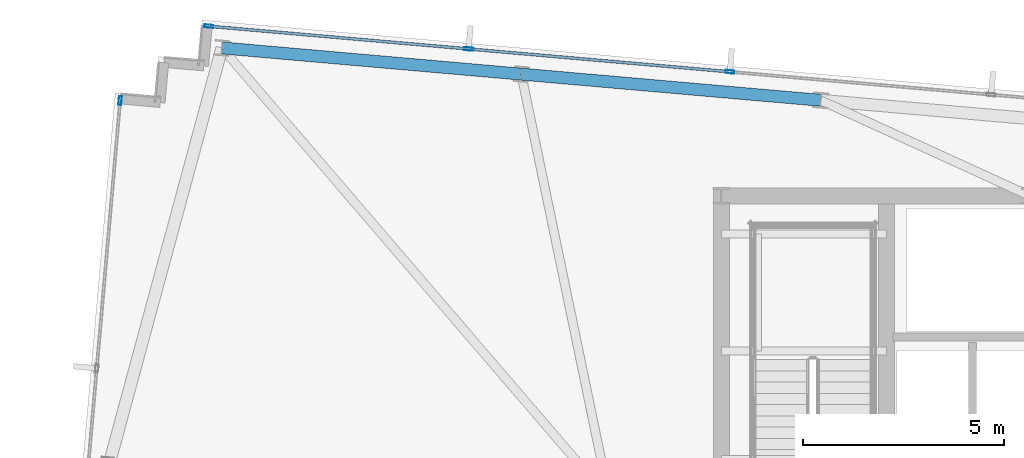
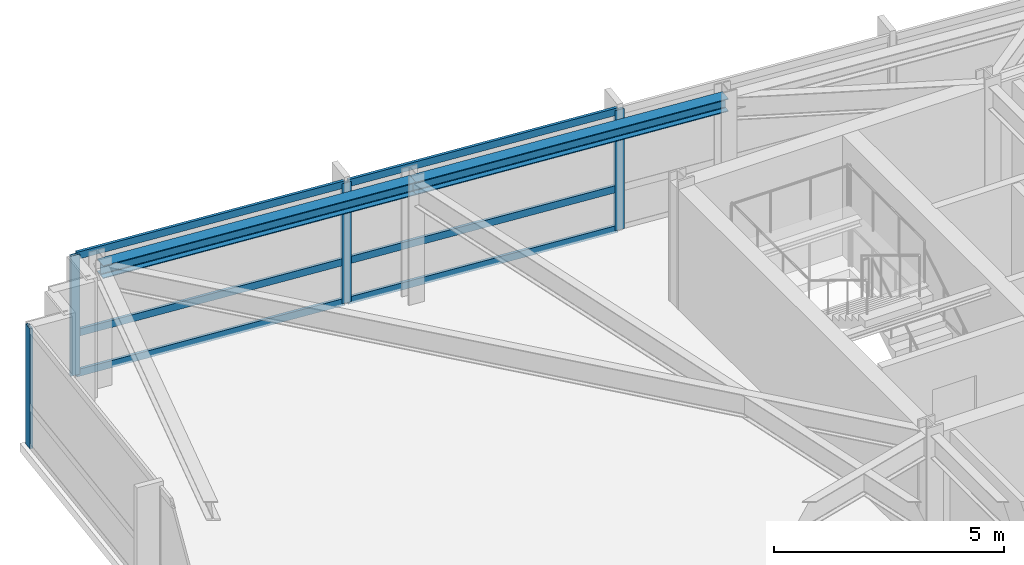
# One storey, part 15 of 24: 10 members, 2 beams, 2 elements without a shape of their own.
"""IFC4 building model written with IfcOpenShell, lengths in metres."""

from ifc_helpers import new_model, si_unit, direction, frame, origin, origin_2d, place, context, subcontext, project, spatial, hollow_rectangle, i_section, extrude, material, material_profile, profile_set, type_object, element, aggregate, save


model = new_model("IFC4")

# Units and contexts
model_context = context("Model", 3, precision=1e-05, world=origin(), true_north=direction((0.0, 1.0)))
body_context = subcontext(model_context, "Body", "Model", "MODEL_VIEW")
ifc_project = project(units=[si_unit("LENGTHUNIT", "METRE"), si_unit("AREAUNIT", "SQUARE_METRE"), si_unit("VOLUMEUNIT", "CUBIC_METRE"), si_unit("PLANEANGLEUNIT", "RADIAN"), si_unit("MASSUNIT", "GRAM", prefix="KILO")], contexts=[model_context])

# Site, building, storey
site_placement = place(None, origin())
site = spatial("IfcSite", under=ifc_project, at=site_placement, CompositionType="ELEMENT")
building_placement = place(site_placement, origin())
building = spatial("IfcBuilding", under=site, at=building_placement, Name="Yelkora Congress Tower", CompositionType="ELEMENT")
storey_placement = place(building_placement, frame((0.0, 0.0, 296.5)))
storey = spatial("IfcBuildingStorey", under=building, at=storey_placement, Name="L83", CompositionType="ELEMENT", Elevation=296.5)

# Beams
ifc_material_1 = material(Name="Steel S355J2", Category="steel")
ifc_material_profile_1 = material_profile(ifc_material_1, i_section(OverallWidth=0.300048828125, OverallDepth=0.340087890625, WebThickness=0.011962890625, FlangeThickness=0.021484375, FilletRadius=0.027099609375, at=origin_2d()), Name="HEB 340")
ifc_profile_set_1 = profile_set([ifc_material_profile_1], Name="Steel S355J2")
beam_type = type_object("IfcBeamType", Name="BM-SPAN-HEB340", PredefinedType="SPANDREL", material=ifc_profile_set_1)
beam_1_placement = place(storey_placement, frame((25.513916015625, 48.57958984375, 3.010009765625), z_axis=(-0.996196266663, 0.087137812034, 0.0), x_axis=(-0.087137812034, -0.996196266663, 0.0)))
element("IfcBeam", 1, at=beam_1_placement, inside=storey, type_object=beam_type, Name="L83 Perimeter Beam 11", PredefinedType="SPANDREL", context=body_context, shape_type="SweptSolid", body=[
    extrude(i_section(OverallWidth=0.300048828125, OverallDepth=0.340087890625, WebThickness=0.011962890625, FlangeThickness=0.021484375, FilletRadius=0.027099609375, at=origin_2d()), origin(), (0.0, 0.0, 1.0), 7.483642578125),
])
beam_2_placement = place(storey_placement, frame((18.058837890625, 49.231689453125, 3.010009765625), z_axis=(-0.996193186297, 0.08717302092, 0.0), x_axis=(-0.08717302092, -0.996193186297, 0.0)))
element("IfcBeam", 2, at=beam_2_placement, inside=storey, type_object=beam_type, Name="L83 Perimeter Beam 12", PredefinedType="SPANDREL", context=body_context, shape_type="SweptSolid", body=[
    extrude(i_section(OverallWidth=0.300048828125, OverallDepth=0.340087890625, WebThickness=0.011962890625, FlangeThickness=0.021484375, FilletRadius=0.027099609375, at=origin_2d()), origin(), (0.0, 0.0, 1.0), 7.4833984375),
])

# Curtain wall, member
ifc_material_2 = material(Name="Anodised aluminium and insulated glass", Category="aluminium")
curtain_wall_type = type_object("IfcCurtainWallType", Name="CW-SYS-SKY", PredefinedType="NOTDEFINED", material=ifc_material_2)
curtain_wall_1_placement = place(storey_placement, origin())
curtain_wall_1 = element("IfcCurtainWall", 3, at=curtain_wall_1_placement, inside=storey, type_object=curtain_wall_type, Name="L83 Unitised Curtain Wall 5", PredefinedType="NOTDEFINED")
ifc_material_3 = material(Name="Anodised aluminium 6063-T6", Category="aluminium")
ifc_material_profile_2 = material_profile(ifc_material_3, hollow_rectangle(XDim=0.074951171875, YDim=0.219970703125, WallThickness=0.0048828125, at=origin_2d()), Name="ALU 75x220x5")
ifc_profile_set_2 = profile_set([ifc_material_profile_2], Name="Anodised aluminium 6063-T6")
member_type_1 = type_object("IfcMemberType", Name="MEM-ML-SKY", PredefinedType="MULLION", material=ifc_profile_set_2)
member_1_placement = place(storey_placement, frame((8.070068359375, 48.572265625, 0.0), z_axis=(0.0, 0.0, 1.0), x_axis=(-0.996194785929, 0.08715473876, 0.0)))
member_1 = element("IfcMember", 4, at=member_1_placement, type_object=member_type_1, Name="CW-SKY mullion 5", PredefinedType="MULLION", context=body_context, shape_type="SweptSolid", body=[
    extrude(hollow_rectangle(XDim=0.074951171875, YDim=0.219970703125, WallThickness=0.0048828125, at=origin_2d()), origin(), (0.0, 0.0, 1.0), 3.179931640625),
])
aggregate(curtain_wall_1, [member_1])

# Curtain wall, members
curtain_wall_2_placement = place(storey_placement, origin())
curtain_wall_2 = element("IfcCurtainWall", 5, at=curtain_wall_2_placement, inside=storey, type_object=curtain_wall_type, Name="L83 Unitised Curtain Wall 10", PredefinedType="NOTDEFINED")
member_2_placement = place(storey_placement, frame((10.27734375, 50.424560546875, 0.0), z_axis=(0.0, 0.0, 1.0), x_axis=(0.087156639893, 0.996194619601, 0.0)))
member_2 = element("IfcMember", 6, at=member_2_placement, type_object=member_type_1, Name="CW-SKY mullion 1", PredefinedType="MULLION", context=body_context, shape_type="SweptSolid", body=[
    extrude(hollow_rectangle(XDim=0.074951171875, YDim=0.219970703125, WallThickness=0.0048828125, at=origin_2d()), origin(), (0.0, 0.0, 1.0), 3.179931640625),
])
member_3_placement = place(storey_placement, frame((16.74658203125, 49.858642578125, 0.0), z_axis=(0.0, 0.0, 1.0), x_axis=(0.087156639893, 0.996194619601, 0.0)))
member_3 = element("IfcMember", 7, at=member_3_placement, type_object=member_type_1, Name="CW-SKY mullion 2", PredefinedType="MULLION", context=body_context, shape_type="SweptSolid", body=[
    extrude(hollow_rectangle(XDim=0.074951171875, YDim=0.219970703125, WallThickness=0.0048828125, at=origin_2d()), origin(), (0.0, 0.0, 1.0), 3.179931640625),
])
member_4_placement = place(storey_placement, frame((23.253173828125, 49.289306640625, 0.0), z_axis=(0.0, 0.0, 1.0), x_axis=(0.087156639893, 0.996194619601, 0.0)))
member_4 = element("IfcMember", 8, at=member_4_placement, type_object=member_type_1, Name="CW-SKY mullion 3", PredefinedType="MULLION", context=body_context, shape_type="SweptSolid", body=[
    extrude(hollow_rectangle(XDim=0.074951171875, YDim=0.219970703125, WallThickness=0.0048828125, at=origin_2d()), origin(), (0.0, 0.0, 1.0), 3.179931640625),
])
ifc_material_profile_3 = material_profile(ifc_material_3, hollow_rectangle(XDim=0.070068359375, YDim=0.18994140625, WallThickness=0.00390625, at=origin_2d()), Name="ALU 70x190x4")
ifc_profile_set_3 = profile_set([ifc_material_profile_3], Name="Anodised aluminium 6063-T6")
member_type_2 = type_object("IfcMemberType", Name="MEM-TR-SKY", PredefinedType="USERDEFINED", material=ifc_profile_set_3)
member_5_placement = place(storey_placement, frame((10.314697265625, 50.421142578125, 0.034912109375), z_axis=(0.996196359216, -0.087136753931, 0.0), x_axis=(0.087136753931, 0.996196359216, 0.0)))
member_5 = element("IfcMember", 9, at=member_5_placement, type_object=member_type_2, Name="CW-SKY transom 1.1", ObjectType="TRANSOM", PredefinedType="USERDEFINED", context=body_context, shape_type="SweptSolid", body=[
    extrude(hollow_rectangle(XDim=0.070068359375, YDim=0.18994140625, WallThickness=0.00390625, at=origin_2d()), origin(), (0.0, 0.0, 1.0), 6.4189453125),
])
member_6_placement = place(storey_placement, frame((10.314697265625, 50.421142578125, 1.10009765625), z_axis=(0.996196359216, -0.087136753931, 0.0), x_axis=(0.087136753931, 0.996196359216, 0.0)))
member_6 = element("IfcMember", 10, at=member_6_placement, type_object=member_type_2, Name="CW-SKY transom 1.2", ObjectType="TRANSOM", PredefinedType="USERDEFINED", context=body_context, shape_type="SweptSolid", body=[
    extrude(hollow_rectangle(XDim=0.070068359375, YDim=0.18994140625, WallThickness=0.00390625, at=origin_2d()), origin(), (0.0, 0.0, 1.0), 6.4189453125),
])
member_7_placement = place(storey_placement, frame((10.314697265625, 50.421142578125, 3.14501953125), z_axis=(0.996196359216, -0.087136753931, 0.0), x_axis=(0.087136753931, 0.996196359216, 0.0)))
member_7 = element("IfcMember", 11, at=member_7_placement, type_object=member_type_2, Name="CW-SKY transom 1.3", ObjectType="TRANSOM", PredefinedType="USERDEFINED", context=body_context, shape_type="SweptSolid", body=[
    extrude(hollow_rectangle(XDim=0.070068359375, YDim=0.18994140625, WallThickness=0.00390625, at=origin_2d()), origin(), (0.0, 0.0, 1.0), 6.4189453125),
])
member_8_placement = place(storey_placement, frame((16.783935546875, 49.855224609375, 0.034912109375), z_axis=(0.996194333134, -0.087159914135, 0.0), x_axis=(0.087159914135, 0.996194333134, 0.0)))
member_8 = element("IfcMember", 12, at=member_8_placement, type_object=member_type_2, Name="CW-SKY transom 2.1", ObjectType="TRANSOM", PredefinedType="USERDEFINED", context=body_context, shape_type="SweptSolid", body=[
    extrude(hollow_rectangle(XDim=0.070068359375, YDim=0.18994140625, WallThickness=0.00390625, at=origin_2d()), origin(), (0.0, 0.0, 1.0), 6.45654296875),
])
member_9_placement = place(storey_placement, frame((16.783935546875, 49.855224609375, 1.10009765625), z_axis=(0.996194333134, -0.087159914135, 0.0), x_axis=(0.087159914135, 0.996194333134, 0.0)))
member_9 = element("IfcMember", 13, at=member_9_placement, type_object=member_type_2, Name="CW-SKY transom 2.2", ObjectType="TRANSOM", PredefinedType="USERDEFINED", context=body_context, shape_type="SweptSolid", body=[
    extrude(hollow_rectangle(XDim=0.070068359375, YDim=0.18994140625, WallThickness=0.00390625, at=origin_2d()), origin(), (0.0, 0.0, 1.0), 6.45654296875),
])
member_10_placement = place(storey_placement, frame((16.783935546875, 49.855224609375, 3.14501953125), z_axis=(0.996194333134, -0.087159914135, 0.0), x_axis=(0.087159914135, 0.996194333134, 0.0)))
member_10 = element("IfcMember", 14, at=member_10_placement, type_object=member_type_2, Name="CW-SKY transom 2.3", ObjectType="TRANSOM", PredefinedType="USERDEFINED", context=body_context, shape_type="SweptSolid", body=[
    extrude(hollow_rectangle(XDim=0.070068359375, YDim=0.18994140625, WallThickness=0.00390625, at=origin_2d()), origin(), (0.0, 0.0, 1.0), 6.45654296875),
])
aggregate(curtain_wall_2, [member_2, member_3, member_4, member_5, member_6, member_7, member_8, member_9, member_10])

save(model, "model.ifc")
